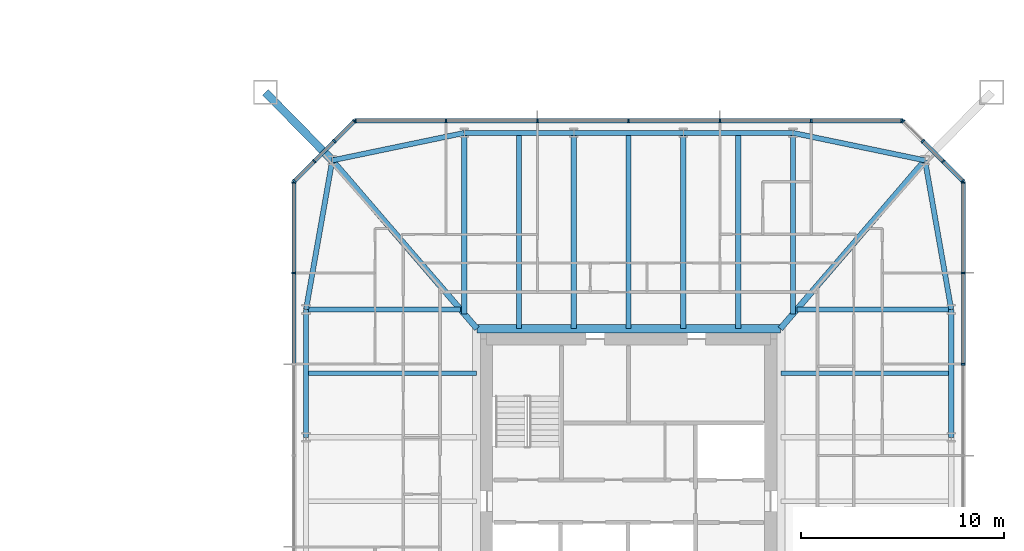
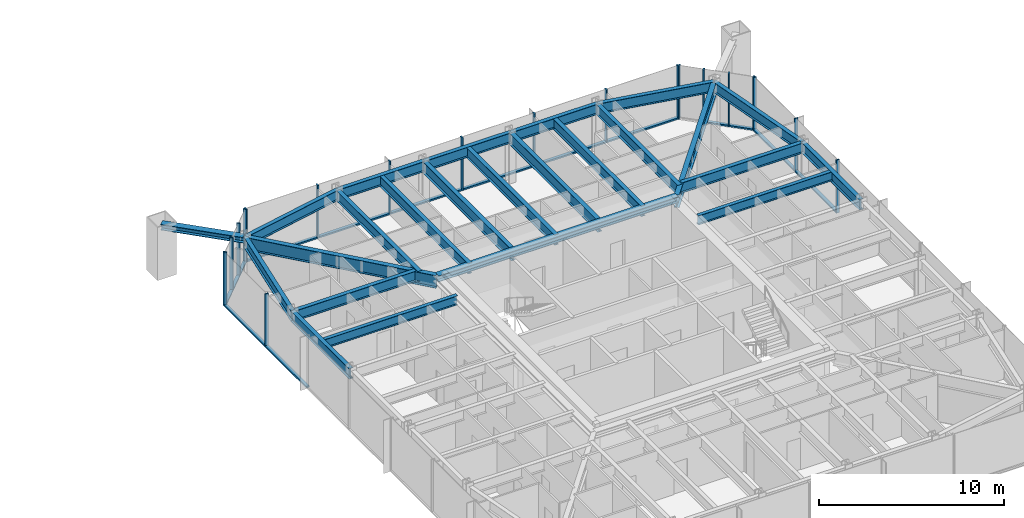
# One storey, part 10 of 26: 36 members, 23 beams, 5 elements without a shape of their own.
"""IFC4 building model written with IfcOpenShell, lengths in metres."""

from ifc_helpers import new_model, si_unit, direction, frame, origin, origin_2d, place, context, subcontext, project, spatial, rectangle, i_section, extrude, material, material_profile, profile_set, type_object, element, aggregate, save


model = new_model("IFC4")

# Units and contexts
model_context = context("Model", 3, precision=1e-05, world=origin(), true_north=direction((0.0, 1.0)))
body_context = subcontext(model_context, "Body", "Model", "MODEL_VIEW")
ifc_project = project(units=[si_unit("LENGTHUNIT", "METRE"), si_unit("AREAUNIT", "SQUARE_METRE"), si_unit("VOLUMEUNIT", "CUBIC_METRE"), si_unit("PLANEANGLEUNIT", "RADIAN"), si_unit("MASSUNIT", "GRAM", prefix="KILO")], contexts=[model_context])

# Site, building, storey
site_placement = place(None, origin())
site = spatial("IfcSite", under=ifc_project, at=site_placement, CompositionType="ELEMENT")
building_placement = place(site_placement, origin())
building = spatial("IfcBuilding", under=site, at=building_placement, Name="Iwan Alto Co-Living Towers", CompositionType="ELEMENT")
storey_placement = place(building_placement, frame((0.0, 0.0, 29.0)))
storey = spatial("IfcBuildingStorey", under=building, at=storey_placement, Name="L07", CompositionType="ELEMENT", Elevation=29.0)

# Curtain wall, members
ifc_material_1 = material(Name="Bronze aluminium unitised frame", Category="aluminium")
curtain_wall_type_1 = type_object("IfcCurtainWallType", Name="CURTAIN WALL CW-C", PredefinedType="NOTDEFINED", material=ifc_material_1)
curtain_wall_1_placement = place(storey_placement, origin())
curtain_wall_1 = element("IfcCurtainWall", 1, at=curtain_wall_1_placement, inside=storey, type_object=curtain_wall_type_1, Name="T2 curtain wall E L07", PredefinedType="NOTDEFINED")
ifc_material_2 = material(Name="Aluminium 6063-T6 bronze anodised", Category="aluminium")
ifc_material_profile_1 = material_profile(ifc_material_2, rectangle(XDim=0.199951171875, YDim=0.080078125, at=origin_2d()), Name="AL 80X200")
ifc_profile_set_1 = profile_set([ifc_material_profile_1], Name="Aluminium 6063-T6 bronze anodised")
member_type_1 = type_object("IfcMemberType", Name="CW-C MULLION 80X200", PredefinedType="MULLION", material=ifc_profile_set_1)
member_1_placement = place(storey_placement, frame((79.5, 6.75, 0.0), z_axis=(0.0, 0.0, 1.0), x_axis=(-1.0, 0.0, 0.0)))
member_1 = element("IfcMember", 2, at=member_1_placement, type_object=member_type_1, Name="CW-C mullion 6", PredefinedType="MULLION", context=body_context, shape_type="SweptSolid", body=[
    extrude(rectangle(XDim=0.199951171875, YDim=0.080078125, at=origin_2d()), origin(), (0.0, 0.0, 1.0), 3.5),
])
member_2_placement = place(storey_placement, frame((79.5, 11.25, 0.0), z_axis=(0.0, 0.0, 1.0), x_axis=(-1.0, 0.0, 0.0)))
member_2 = element("IfcMember", 3, at=member_2_placement, type_object=member_type_1, Name="CW-C mullion 7", PredefinedType="MULLION", context=body_context, shape_type="SweptSolid", body=[
    extrude(rectangle(XDim=0.199951171875, YDim=0.080078125, at=origin_2d()), origin(), (0.0, 0.0, 1.0), 3.5),
])
member_3_placement = place(storey_placement, frame((79.5, 15.7099609375, 0.0), z_axis=(0.0, 0.0, 1.0), x_axis=(-1.0, 0.0, 0.0)))
member_3 = element("IfcMember", 4, at=member_3_placement, type_object=member_type_1, Name="CW-C mullion 8", PredefinedType="MULLION", context=body_context, shape_type="SweptSolid", body=[
    extrude(rectangle(XDim=0.199951171875, YDim=0.080078125, at=origin_2d()), origin(), (0.0, 0.0, 1.0), 3.5),
])

curtain_wall_2_placement = place(storey_placement, origin())
curtain_wall_2 = element("IfcCurtainWall", 5, at=curtain_wall_2_placement, inside=storey, type_object=curtain_wall_type_1, Name="T2 curtain wall N L07", PredefinedType="NOTDEFINED")
member_4_placement = place(storey_placement, frame((76.4599609375, 18.75, 0.0), z_axis=(0.0, 0.0, 1.0), x_axis=(0.0, -1.0, 0.0)))
member_4 = element("IfcMember", 6, at=member_4_placement, type_object=member_type_1, Name="CW-C mullion 1", PredefinedType="MULLION", context=body_context, shape_type="SweptSolid", body=[
    extrude(rectangle(XDim=0.199951171875, YDim=0.080078125, at=origin_2d()), origin(), (0.0, 0.0, 1.0), 3.5),
])
member_5_placement = place(storey_placement, frame((72.0, 18.75, 0.0), z_axis=(0.0, 0.0, 1.0), x_axis=(0.0, -1.0, 0.0)))
member_5 = element("IfcMember", 7, at=member_5_placement, type_object=member_type_1, Name="CW-C mullion 2", PredefinedType="MULLION", context=body_context, shape_type="SweptSolid", body=[
    extrude(rectangle(XDim=0.199951171875, YDim=0.080078125, at=origin_2d()), origin(), (0.0, 0.0, 1.0), 3.5),
])
member_6_placement = place(storey_placement, frame((67.5, 18.75, 0.0), z_axis=(0.0, 0.0, 1.0), x_axis=(0.0, -1.0, 0.0)))
member_6 = element("IfcMember", 8, at=member_6_placement, type_object=member_type_1, Name="CW-C mullion 3", PredefinedType="MULLION", context=body_context, shape_type="SweptSolid", body=[
    extrude(rectangle(XDim=0.199951171875, YDim=0.080078125, at=origin_2d()), origin(), (0.0, 0.0, 1.0), 3.5),
])
member_7_placement = place(storey_placement, frame((63.0, 18.75, 0.0), z_axis=(0.0, 0.0, 1.0), x_axis=(0.0, -1.0, 0.0)))
member_7 = element("IfcMember", 9, at=member_7_placement, type_object=member_type_1, Name="CW-C mullion 4", PredefinedType="MULLION", context=body_context, shape_type="SweptSolid", body=[
    extrude(rectangle(XDim=0.199951171875, YDim=0.080078125, at=origin_2d()), origin(), (0.0, 0.0, 1.0), 3.5),
])
member_8_placement = place(storey_placement, frame((58.5, 18.75, 0.0), z_axis=(0.0, 0.0, 1.0), x_axis=(0.0, -1.0, 0.0)))
member_8 = element("IfcMember", 10, at=member_8_placement, type_object=member_type_1, Name="CW-C mullion 5", PredefinedType="MULLION", context=body_context, shape_type="SweptSolid", body=[
    extrude(rectangle(XDim=0.199951171875, YDim=0.080078125, at=origin_2d()), origin(), (0.0, 0.0, 1.0), 3.5),
])
member_9_placement = place(storey_placement, frame((54.0, 18.75, 0.0), z_axis=(0.0, 0.0, 1.0), x_axis=(0.0, -1.0, 0.0)))
member_9 = element("IfcMember", 11, at=member_9_placement, type_object=member_type_1, Name="CW-C mullion 6", PredefinedType="MULLION", context=body_context, shape_type="SweptSolid", body=[
    extrude(rectangle(XDim=0.199951171875, YDim=0.080078125, at=origin_2d()), origin(), (0.0, 0.0, 1.0), 3.5),
])
member_10_placement = place(storey_placement, frame((49.5400390625, 18.75, 0.0), z_axis=(0.0, 0.0, 1.0), x_axis=(0.0, -1.0, 0.0)))
member_10 = element("IfcMember", 12, at=member_10_placement, type_object=member_type_1, Name="CW-C mullion 7", PredefinedType="MULLION", context=body_context, shape_type="SweptSolid", body=[
    extrude(rectangle(XDim=0.199951171875, YDim=0.080078125, at=origin_2d()), origin(), (0.0, 0.0, 1.0), 3.5),
])

curtain_wall_3_placement = place(storey_placement, origin())
curtain_wall_3 = element("IfcCurtainWall", 13, at=curtain_wall_3_placement, inside=storey, type_object=curtain_wall_type_1, Name="T2 curtain wall W L07", PredefinedType="NOTDEFINED")
member_11_placement = place(storey_placement, frame((46.5, 15.7099609375, 0.0), z_axis=(0.0, 0.0, 1.0), x_axis=(1.0, 0.0, 0.0)))
member_11 = element("IfcMember", 14, at=member_11_placement, type_object=member_type_1, Name="CW-C mullion 1", PredefinedType="MULLION", context=body_context, shape_type="SweptSolid", body=[
    extrude(rectangle(XDim=0.199951171875, YDim=0.080078125, at=origin_2d()), origin(), (0.0, 0.0, 1.0), 3.5),
])
member_12_placement = place(storey_placement, frame((46.5, 11.25, 0.0), z_axis=(0.0, 0.0, 1.0), x_axis=(1.0, 0.0, 0.0)))
member_12 = element("IfcMember", 15, at=member_12_placement, type_object=member_type_1, Name="CW-C mullion 2", PredefinedType="MULLION", context=body_context, shape_type="SweptSolid", body=[
    extrude(rectangle(XDim=0.199951171875, YDim=0.080078125, at=origin_2d()), origin(), (0.0, 0.0, 1.0), 3.5),
])

# Member
ifc_material_3 = material(Name="Aluminium 6063-T6 bronze anodised", Category="aluminium")
ifc_material_profile_2 = material_profile(ifc_material_3, rectangle(XDim=0.199951171875, YDim=0.10009765625, at=origin_2d()), Name="AL 200X100")
ifc_profile_set_2 = profile_set([ifc_material_profile_2], Name="Aluminium 6063-T6 bronze anodised")
member_type_2 = type_object("IfcMemberType", Name="CW-C TRANSOM 200X100", PredefinedType="USERDEFINED", material=ifc_profile_set_2)
member_13_placement = place(storey_placement, frame((79.5, 6.7900390625, 0.050048828125), z_axis=(0.0, 1.0, 0.0), x_axis=(-1.0, 0.0, 0.0)))
member_13 = element("IfcMember", 16, at=member_13_placement, type_object=member_type_2, Name="CW-C transom 6.1", ObjectType="TRANSOM", PredefinedType="USERDEFINED", context=body_context, shape_type="SweptSolid", body=[
    extrude(rectangle(XDim=0.199951171875, YDim=0.10009765625, at=origin_2d()), origin(), (0.0, 0.0, 1.0), 4.419921875),
])

member_14_placement = place(storey_placement, frame((79.5, 11.2900390625, 0.050048828125), z_axis=(0.0, 1.0, 0.0), x_axis=(-1.0, 0.0, 0.0)))
member_14 = element("IfcMember", 17, at=member_14_placement, type_object=member_type_2, Name="CW-C transom 7.1", ObjectType="TRANSOM", PredefinedType="USERDEFINED", context=body_context, shape_type="SweptSolid", body=[
    extrude(rectangle(XDim=0.199951171875, YDim=0.10009765625, at=origin_2d()), origin(), (0.0, 0.0, 1.0), 4.3798828125),
])

aggregate(curtain_wall_1, [member_1, member_2, member_3, member_13, member_14])

member_15_placement = place(storey_placement, frame((76.419921875, 18.75, 0.050048828125), z_axis=(-1.0, 0.0, 0.0), x_axis=(0.0, -1.0, 0.0)))
member_15 = element("IfcMember", 18, at=member_15_placement, type_object=member_type_2, Name="CW-C transom 1.1", ObjectType="TRANSOM", PredefinedType="USERDEFINED", context=body_context, shape_type="SweptSolid", body=[
    extrude(rectangle(XDim=0.199951171875, YDim=0.10009765625, at=origin_2d()), origin(), (0.0, 0.0, 1.0), 4.3798828125),
])

member_16_placement = place(storey_placement, frame((71.9599609375, 18.75, 0.050048828125), z_axis=(-1.0, 0.0, 0.0), x_axis=(0.0, -1.0, 0.0)))
member_16 = element("IfcMember", 19, at=member_16_placement, type_object=member_type_2, Name="CW-C transom 2.1", ObjectType="TRANSOM", PredefinedType="USERDEFINED", context=body_context, shape_type="SweptSolid", body=[
    extrude(rectangle(XDim=0.199951171875, YDim=0.10009765625, at=origin_2d()), origin(), (0.0, 0.0, 1.0), 4.419921875),
])

member_17_placement = place(storey_placement, frame((67.4599609375, 18.75, 0.050048828125), z_axis=(-1.0, 0.0, 0.0), x_axis=(0.0, -1.0, 0.0)))
member_17 = element("IfcMember", 20, at=member_17_placement, type_object=member_type_2, Name="CW-C transom 3.1", ObjectType="TRANSOM", PredefinedType="USERDEFINED", context=body_context, shape_type="SweptSolid", body=[
    extrude(rectangle(XDim=0.199951171875, YDim=0.10009765625, at=origin_2d()), origin(), (0.0, 0.0, 1.0), 4.419921875),
])

member_18_placement = place(storey_placement, frame((62.9599609375, 18.75, 0.050048828125), z_axis=(-1.0, 0.0, 0.0), x_axis=(0.0, -1.0, 0.0)))
member_18 = element("IfcMember", 21, at=member_18_placement, type_object=member_type_2, Name="CW-C transom 4.1", ObjectType="TRANSOM", PredefinedType="USERDEFINED", context=body_context, shape_type="SweptSolid", body=[
    extrude(rectangle(XDim=0.199951171875, YDim=0.10009765625, at=origin_2d()), origin(), (0.0, 0.0, 1.0), 4.419921875),
])

member_19_placement = place(storey_placement, frame((58.4599609375, 18.75, 0.050048828125), z_axis=(-1.0, 0.0, 0.0), x_axis=(0.0, -1.0, 0.0)))
member_19 = element("IfcMember", 22, at=member_19_placement, type_object=member_type_2, Name="CW-C transom 5.1", ObjectType="TRANSOM", PredefinedType="USERDEFINED", context=body_context, shape_type="SweptSolid", body=[
    extrude(rectangle(XDim=0.199951171875, YDim=0.10009765625, at=origin_2d()), origin(), (0.0, 0.0, 1.0), 4.419921875),
])

member_20_placement = place(storey_placement, frame((53.9599609375, 18.75, 0.050048828125), z_axis=(-1.0, 0.0, 0.0), x_axis=(0.0, -1.0, 0.0)))
member_20 = element("IfcMember", 23, at=member_20_placement, type_object=member_type_2, Name="CW-C transom 6.1", ObjectType="TRANSOM", PredefinedType="USERDEFINED", context=body_context, shape_type="SweptSolid", body=[
    extrude(rectangle(XDim=0.199951171875, YDim=0.10009765625, at=origin_2d()), origin(), (0.0, 0.0, 1.0), 4.3798828125),
])

aggregate(curtain_wall_2, [member_4, member_5, member_6, member_7, member_8, member_9, member_10, member_15, member_16, member_17, member_18, member_19, member_20])

member_21_placement = place(storey_placement, frame((46.5, 15.669921875, 0.050048828125), z_axis=(0.0, -1.0, 0.0), x_axis=(1.0, 0.0, 0.0)))
member_21 = element("IfcMember", 24, at=member_21_placement, type_object=member_type_2, Name="CW-C transom 1.1", ObjectType="TRANSOM", PredefinedType="USERDEFINED", context=body_context, shape_type="SweptSolid", body=[
    extrude(rectangle(XDim=0.199951171875, YDim=0.10009765625, at=origin_2d()), origin(), (0.0, 0.0, 1.0), 4.3798828125),
])

member_22_placement = place(storey_placement, frame((46.5, 11.2099609375, 0.050048828125), z_axis=(0.0, -1.0, 0.0), x_axis=(1.0, 0.0, 0.0)))
member_22 = element("IfcMember", 25, at=member_22_placement, type_object=member_type_2, Name="CW-C transom 2.1", ObjectType="TRANSOM", PredefinedType="USERDEFINED", context=body_context, shape_type="SweptSolid", body=[
    extrude(rectangle(XDim=0.199951171875, YDim=0.10009765625, at=origin_2d()), origin(), (0.0, 0.0, 1.0), 4.419921875),
])

aggregate(curtain_wall_3, [member_11, member_12, member_21, member_22])

# Curtain wall, members
ifc_material_4 = material(Name="Bronze aluminium unitised frame", Category="aluminium")
curtain_wall_type_2 = type_object("IfcCurtainWallType", Name="CURTAIN WALL CW-D", PredefinedType="NOTDEFINED", material=ifc_material_4)
curtain_wall_4_placement = place(storey_placement, origin())
curtain_wall_4 = element("IfcCurtainWall", 26, at=curtain_wall_4_placement, inside=storey, type_object=curtain_wall_type_2, Name="T2 chamfer curtain wall NE L07", PredefinedType="NOTDEFINED")
ifc_material_5 = material(Name="Aluminium 6063-T6 bronze anodised", Category="aluminium")
ifc_material_profile_3 = material_profile(ifc_material_5, rectangle(XDim=0.199951171875, YDim=0.080078125, at=origin_2d()), Name="AL 80X200")
ifc_profile_set_3 = profile_set([ifc_material_profile_3], Name="Aluminium 6063-T6 bronze anodised")
member_type_3 = type_object("IfcMemberType", Name="CW-D MULLION 80X200", PredefinedType="MULLION", material=ifc_profile_set_3)
member_23_placement = place(storey_placement, frame((79.4716796875, 15.7783203125, 0.0), z_axis=(0.0, 0.0, 1.0), x_axis=(-0.707106781187, -0.707106781187, 0.0)))
member_23 = element("IfcMember", 27, at=member_23_placement, type_object=member_type_3, Name="CW-D mullion 1", PredefinedType="MULLION", context=body_context, shape_type="SweptSolid", body=[
    extrude(rectangle(XDim=0.199951171875, YDim=0.080078125, at=origin_2d()), origin(), (0.0, 0.0, 1.0), 3.5),
])
member_24_placement = place(storey_placement, frame((78.5, 16.75, 0.0), z_axis=(0.0, 0.0, 1.0), x_axis=(-0.707106781187, -0.707106781187, 0.0)))
member_24 = element("IfcMember", 28, at=member_24_placement, type_object=member_type_3, Name="CW-D mullion 2", PredefinedType="MULLION", context=body_context, shape_type="SweptSolid", body=[
    extrude(rectangle(XDim=0.199951171875, YDim=0.080078125, at=origin_2d()), origin(), (0.0, 0.0, 1.0), 3.5),
])
member_25_placement = place(storey_placement, frame((77.5, 17.75, 0.0), z_axis=(0.0, 0.0, 1.0), x_axis=(-0.707106781187, -0.707106781187, 0.0)))
member_25 = element("IfcMember", 29, at=member_25_placement, type_object=member_type_3, Name="CW-D mullion 3", PredefinedType="MULLION", context=body_context, shape_type="SweptSolid", body=[
    extrude(rectangle(XDim=0.199951171875, YDim=0.080078125, at=origin_2d()), origin(), (0.0, 0.0, 1.0), 3.5),
])
member_26_placement = place(storey_placement, frame((76.5283203125, 18.7216796875, 0.0), z_axis=(0.0, 0.0, 1.0), x_axis=(-0.707106781187, -0.707106781187, 0.0)))
member_26 = element("IfcMember", 30, at=member_26_placement, type_object=member_type_3, Name="CW-D mullion 4", PredefinedType="MULLION", context=body_context, shape_type="SweptSolid", body=[
    extrude(rectangle(XDim=0.199951171875, YDim=0.080078125, at=origin_2d()), origin(), (0.0, 0.0, 1.0), 3.5),
])

curtain_wall_5_placement = place(storey_placement, origin())
curtain_wall_5 = element("IfcCurtainWall", 31, at=curtain_wall_5_placement, inside=storey, type_object=curtain_wall_type_2, Name="T2 chamfer curtain wall NW L07", PredefinedType="NOTDEFINED")
member_27_placement = place(storey_placement, frame((49.4716796875, 18.7216796875, 0.0), z_axis=(0.0, 0.0, 1.0), x_axis=(0.707106781187, -0.707106781187, 0.0)))
member_27 = element("IfcMember", 32, at=member_27_placement, type_object=member_type_3, Name="CW-D mullion 1", PredefinedType="MULLION", context=body_context, shape_type="SweptSolid", body=[
    extrude(rectangle(XDim=0.199951171875, YDim=0.080078125, at=origin_2d()), origin(), (0.0, 0.0, 1.0), 3.5),
])
member_28_placement = place(storey_placement, frame((48.5, 17.75, 0.0), z_axis=(0.0, 0.0, 1.0), x_axis=(0.707106781187, -0.707106781187, 0.0)))
member_28 = element("IfcMember", 33, at=member_28_placement, type_object=member_type_3, Name="CW-D mullion 2", PredefinedType="MULLION", context=body_context, shape_type="SweptSolid", body=[
    extrude(rectangle(XDim=0.199951171875, YDim=0.080078125, at=origin_2d()), origin(), (0.0, 0.0, 1.0), 3.5),
])
member_29_placement = place(storey_placement, frame((47.5, 16.75, 0.0), z_axis=(0.0, 0.0, 1.0), x_axis=(0.707106781187, -0.707106781187, 0.0)))
member_29 = element("IfcMember", 34, at=member_29_placement, type_object=member_type_3, Name="CW-D mullion 3", PredefinedType="MULLION", context=body_context, shape_type="SweptSolid", body=[
    extrude(rectangle(XDim=0.199951171875, YDim=0.080078125, at=origin_2d()), origin(), (0.0, 0.0, 1.0), 3.5),
])
member_30_placement = place(storey_placement, frame((46.5283203125, 15.7783203125, 0.0), z_axis=(0.0, 0.0, 1.0), x_axis=(0.707106781187, -0.707106781187, 0.0)))
member_30 = element("IfcMember", 35, at=member_30_placement, type_object=member_type_3, Name="CW-D mullion 4", PredefinedType="MULLION", context=body_context, shape_type="SweptSolid", body=[
    extrude(rectangle(XDim=0.199951171875, YDim=0.080078125, at=origin_2d()), origin(), (0.0, 0.0, 1.0), 3.5),
])

# Member
ifc_material_6 = material(Name="Aluminium 6063-T6 bronze anodised", Category="aluminium")
ifc_material_profile_4 = material_profile(ifc_material_6, rectangle(XDim=0.199951171875, YDim=0.10009765625, at=origin_2d()), Name="AL 200X100")
ifc_profile_set_4 = profile_set([ifc_material_profile_4], Name="Aluminium 6063-T6 bronze anodised")
member_type_4 = type_object("IfcMemberType", Name="CW-D TRANSOM 200X100", PredefinedType="USERDEFINED", material=ifc_profile_set_4)
member_31_placement = place(storey_placement, frame((79.443359375, 15.806640625, 0.050048828125), z_axis=(-0.707106781187, 0.707106781187, 0.0), x_axis=(-0.707106781187, -0.707106781187, 0.0)))
member_31 = element("IfcMember", 36, at=member_31_placement, type_object=member_type_4, Name="CW-D transom 1.1", ObjectType="TRANSOM", PredefinedType="USERDEFINED", context=body_context, shape_type="SweptSolid", body=[
    extrude(rectangle(XDim=0.199951171875, YDim=0.10009765625, at=origin_2d()), origin(), (0.0, 0.0, 1.0), 1.2939453125),
])

member_32_placement = place(storey_placement, frame((78.4716796875, 16.7783203125, 0.050048828125), z_axis=(-0.707106781187, 0.707106781187, 0.0), x_axis=(-0.707106781187, -0.707106781187, 0.0)))
member_32 = element("IfcMember", 37, at=member_32_placement, type_object=member_type_4, Name="CW-D transom 2.1", ObjectType="TRANSOM", PredefinedType="USERDEFINED", context=body_context, shape_type="SweptSolid", body=[
    extrude(rectangle(XDim=0.199951171875, YDim=0.10009765625, at=origin_2d()), origin(), (0.0, 0.0, 1.0), 1.334228515625),
])

aggregate(curtain_wall_4, [member_23, member_24, member_25, member_26, member_31, member_32])

member_33_placement = place(storey_placement, frame((49.443359375, 18.693359375, 0.050048828125), z_axis=(-0.707106781187, -0.707106781187, 0.0), x_axis=(0.707106781187, -0.707106781187, 0.0)))
member_33 = element("IfcMember", 38, at=member_33_placement, type_object=member_type_4, Name="CW-D transom 1.1", ObjectType="TRANSOM", PredefinedType="USERDEFINED", context=body_context, shape_type="SweptSolid", body=[
    extrude(rectangle(XDim=0.199951171875, YDim=0.10009765625, at=origin_2d()), origin(), (0.0, 0.0, 1.0), 1.2939453125),
])

member_34_placement = place(storey_placement, frame((48.4716796875, 17.7216796875, 0.050048828125), z_axis=(-0.707106781187, -0.707106781187, 0.0), x_axis=(0.707106781187, -0.707106781187, 0.0)))
member_34 = element("IfcMember", 39, at=member_34_placement, type_object=member_type_4, Name="CW-D transom 2.1", ObjectType="TRANSOM", PredefinedType="USERDEFINED", context=body_context, shape_type="SweptSolid", body=[
    extrude(rectangle(XDim=0.199951171875, YDim=0.10009765625, at=origin_2d()), origin(), (0.0, 0.0, 1.0), 1.334228515625),
])

member_35_placement = place(storey_placement, frame((47.4716796875, 16.7216796875, 0.050048828125), z_axis=(-0.707106781187, -0.707106781187, 0.0), x_axis=(0.707106781187, -0.707106781187, 0.0)))
member_35 = element("IfcMember", 40, at=member_35_placement, type_object=member_type_4, Name="CW-D transom 3.1", ObjectType="TRANSOM", PredefinedType="USERDEFINED", context=body_context, shape_type="SweptSolid", body=[
    extrude(rectangle(XDim=0.199951171875, YDim=0.10009765625, at=origin_2d()), origin(), (0.0, 0.0, 1.0), 1.2939453125),
])

aggregate(curtain_wall_5, [member_27, member_28, member_29, member_30, member_33, member_34, member_35])

# Beams
ifc_material_7 = material(Name="Steel ASTM A992 Gr 50", Category="steel")
ifc_material_profile_5 = material_profile(ifc_material_7, i_section(OverallWidth=0.40380859375, OverallDepth=0.406494140625, WebThickness=0.027099609375, FlangeThickness=0.043701171875, at=origin_2d()), Name="W14X233")
ifc_profile_set_5 = profile_set([ifc_material_profile_5], Name="Steel ASTM A992 Gr 50")
beam_type_1 = type_object("IfcBeamType", Name="T2 CORE LEDGER BEAM W14X233", PredefinedType="BEAM", material=ifc_profile_set_5)
beam_1_placement = place(storey_placement, frame((70.4736328125, 8.501953125, 3.06689453125), z_axis=(-1.0, 0.0, 0.0), x_axis=(0.0, -1.0, 0.0)))
element("IfcBeam", 41, at=beam_1_placement, inside=storey, type_object=beam_type_1, Name="T2 core ledger beam N L08", PredefinedType="BEAM", context=body_context, shape_type="SweptSolid", body=[
    extrude(i_section(OverallWidth=0.40380859375, OverallDepth=0.406494140625, WebThickness=0.027099609375, FlangeThickness=0.043701171875, at=origin_2d()), origin(), (0.0, 0.0, 1.0), 14.947265625),
])
ifc_material_8 = material(Name="Steel ASTM A992 Gr 50", Category="steel")
ifc_material_profile_6 = material_profile(ifc_material_8, i_section(OverallWidth=0.2919921875, OverallDepth=0.8408203125, WebThickness=0.0146484375, FlangeThickness=0.021728515625, at=origin_2d()), Name="W33X130")
ifc_profile_set_6 = profile_set([ifc_material_profile_6], Name="Steel ASTM A992 Gr 50")
beam_type_2 = type_object("IfcBeamType", Name="T2 CORNER GIRDER W33X130", PredefinedType="BEAM", material=ifc_profile_set_6)
for number, where, z_axis, x_axis, name in (
    (42, (77.606201171875, 16.797119140625, 2.849609375), (-0.651972301827, -0.758242782788, 0.0), (0.758242782788, -0.651972301827, 0.0), "T2 corner girder CNE L08"),
    (43, (48.393798828125, 16.797119140625, 2.849609375), (0.651972301827, -0.758242782788, 0.0), (0.758242782788, 0.651972301827, 0.0), "T2 corner girder CNW L08"),
):
    element("IfcBeam", number, at=place(storey_placement, frame(where, z_axis=z_axis, x_axis=x_axis)), inside=storey, type_object=beam_type_2, Name=name, PredefinedType="BEAM", context=body_context, shape_type="SweptSolid", body=[
        extrude(i_section(OverallWidth=0.2919921875, OverallDepth=0.8408203125, WebThickness=0.0146484375, FlangeThickness=0.021728515625, at=origin_2d()), origin(), (0.0, 0.0, 1.0), 10.93994140625),
    ])
ifc_material_9 = material(Name="Steel ASTM A992 Gr 50", Category="steel")
ifc_material_profile_7 = material_profile(ifc_material_9, i_section(OverallWidth=0.25390625, OverallDepth=0.683349609375, WebThickness=0.012451171875, FlangeThickness=0.018798828125, at=origin_2d()), Name="W27X94")
ifc_profile_set_7 = profile_set([ifc_material_profile_7], Name="Steel ASTM A992 Gr 50")
beam_type_3 = type_object("IfcBeamType", Name="T2 EDGE BEAM W27X94", PredefinedType="BEAM", material=ifc_profile_set_7)
beam_2_placement = place(storey_placement, frame((78.89990234375, 3.14990234375, 2.928466796875), z_axis=(0.0, 1.0, 0.0), x_axis=(-1.0, 0.0, 0.0)))
element("IfcBeam", 44, at=beam_2_placement, inside=storey, type_object=beam_type_3, Name="T2 edge beam E3 L08", PredefinedType="BEAM", context=body_context, shape_type="SweptSolid", body=[
    extrude(i_section(OverallWidth=0.25390625, OverallDepth=0.683349609375, WebThickness=0.012451171875, FlangeThickness=0.018798828125, at=origin_2d()), origin(), (0.0, 0.0, 1.0), 6.300048828125),
])
beam_3_placement = place(storey_placement, frame((78.89990234375, 9.449951171875, 2.928466796875), z_axis=(-0.173413807283, 0.98484905008, 0.0), x_axis=(-0.98484905008, -0.173413807283, 0.0)))
element("IfcBeam", 45, at=beam_3_placement, inside=storey, type_object=beam_type_3, Name="T2 edge beam E4 L08", PredefinedType="BEAM", context=body_context, shape_type="SweptSolid", body=[
    extrude(i_section(OverallWidth=0.25390625, OverallDepth=0.683349609375, WebThickness=0.012451171875, FlangeThickness=0.018798828125, at=origin_2d()), origin(), (0.0, 0.0, 1.0), 7.460205078125),
])
beam_4_placement = place(storey_placement, frame((77.606201171875, 16.797119140625, 2.928466796875), z_axis=(-0.979060119423, 0.203571320564, 0.0), x_axis=(-0.203571320564, -0.979060119423, 0.0)))
element("IfcBeam", 46, at=beam_4_placement, inside=storey, type_object=beam_type_3, Name="T2 edge beam CNE L08", PredefinedType="BEAM", context=body_context, shape_type="SweptSolid", body=[
    extrude(i_section(OverallWidth=0.25390625, OverallDepth=0.683349609375, WebThickness=0.012451171875, FlangeThickness=0.018798828125, at=origin_2d()), origin(), (0.0, 0.0, 1.0), 6.645263671875),
])
beam_5_placement = place(storey_placement, frame((71.10009765625, 18.14990234375, 2.928466796875), z_axis=(-1.0, 0.0, 0.0), x_axis=(0.0, -1.0, 0.0)))
element("IfcBeam", 47, at=beam_5_placement, inside=storey, type_object=beam_type_3, Name="T2 edge beam N1 L08", PredefinedType="BEAM", context=body_context, shape_type="SweptSolid", body=[
    extrude(i_section(OverallWidth=0.25390625, OverallDepth=0.683349609375, WebThickness=0.012451171875, FlangeThickness=0.018798828125, at=origin_2d()), origin(), (0.0, 0.0, 1.0), 5.400146484375),
])
beam_6_placement = place(storey_placement, frame((65.699951171875, 18.14990234375, 2.928466796875), z_axis=(-1.0, 0.0, 0.0), x_axis=(0.0, -1.0, 0.0)))
element("IfcBeam", 48, at=beam_6_placement, inside=storey, type_object=beam_type_3, Name="T2 edge beam N2 L08", PredefinedType="BEAM", context=body_context, shape_type="SweptSolid", body=[
    extrude(i_section(OverallWidth=0.25390625, OverallDepth=0.683349609375, WebThickness=0.012451171875, FlangeThickness=0.018798828125, at=origin_2d()), origin(), (0.0, 0.0, 1.0), 5.39990234375),
])
beam_7_placement = place(storey_placement, frame((60.300048828125, 18.14990234375, 2.928466796875), z_axis=(-1.0, 0.0, 0.0), x_axis=(0.0, -1.0, 0.0)))
element("IfcBeam", 49, at=beam_7_placement, inside=storey, type_object=beam_type_3, Name="T2 edge beam N3 L08", PredefinedType="BEAM", context=body_context, shape_type="SweptSolid", body=[
    extrude(i_section(OverallWidth=0.25390625, OverallDepth=0.683349609375, WebThickness=0.012451171875, FlangeThickness=0.018798828125, at=origin_2d()), origin(), (0.0, 0.0, 1.0), 5.400146484375),
])
beam_8_placement = place(storey_placement, frame((54.89990234375, 18.14990234375, 2.928466796875), z_axis=(-0.979060119423, -0.203571320564, 0.0), x_axis=(0.203571320564, -0.979060119423, 0.0)))
element("IfcBeam", 50, at=beam_8_placement, inside=storey, type_object=beam_type_3, Name="T2 edge beam N4 L08", PredefinedType="BEAM", context=body_context, shape_type="SweptSolid", body=[
    extrude(i_section(OverallWidth=0.25390625, OverallDepth=0.683349609375, WebThickness=0.012451171875, FlangeThickness=0.018798828125, at=origin_2d()), origin(), (0.0, 0.0, 1.0), 6.645263671875),
])
beam_9_placement = place(storey_placement, frame((48.393798828125, 16.797119140625, 2.928466796875), z_axis=(-0.173413807283, -0.98484905008, 0.0), x_axis=(0.98484905008, -0.173413807283, 0.0)))
element("IfcBeam", 51, at=beam_9_placement, inside=storey, type_object=beam_type_3, Name="T2 edge beam CNW L08", PredefinedType="BEAM", context=body_context, shape_type="SweptSolid", body=[
    extrude(i_section(OverallWidth=0.25390625, OverallDepth=0.683349609375, WebThickness=0.012451171875, FlangeThickness=0.018798828125, at=origin_2d()), origin(), (0.0, 0.0, 1.0), 7.460205078125),
])
beam_10_placement = place(storey_placement, frame((47.10009765625, 9.449951171875, 2.928466796875), z_axis=(0.0, -1.0, 0.0), x_axis=(1.0, 0.0, 0.0)))
element("IfcBeam", 52, at=beam_10_placement, inside=storey, type_object=beam_type_3, Name="T2 edge beam W1 L08", PredefinedType="BEAM", context=body_context, shape_type="SweptSolid", body=[
    extrude(i_section(OverallWidth=0.25390625, OverallDepth=0.683349609375, WebThickness=0.012451171875, FlangeThickness=0.018798828125, at=origin_2d()), origin(), (0.0, 0.0, 1.0), 6.300048828125),
])

# Member
ifc_material_10 = material(Name="Steel ASTM A992 Gr 50", Category="steel")
ifc_material_profile_8 = material_profile(ifc_material_10, i_section(OverallWidth=0.393798828125, OverallDepth=0.3759765625, WebThickness=0.017333984375, FlangeThickness=0.027587890625, at=origin_2d()), Name="W14X145")
ifc_profile_set_8 = profile_set([ifc_material_profile_8], Name="Steel ASTM A992 Gr 50")
member_type_5 = type_object("IfcMemberType", Name="T2 MEGA COLUMN FLOOR TIE W14X145", PredefinedType="STRUT", material=ifc_profile_set_8)
member_36_placement = place(storey_placement, frame((45.10009765625, 20.14990234375, 3.08203125), z_axis=(0.700793469544, -0.71336422187, 0.0), x_axis=(0.71336422187, 0.700793469544, 0.0)))
element("IfcMember", 53, at=member_36_placement, inside=storey, type_object=member_type_5, Name="T2 mega column floor tie NW L08", PredefinedType="STRUT", context=body_context, shape_type="SweptSolid", body=[
    extrude(i_section(OverallWidth=0.393798828125, OverallDepth=0.3759765625, WebThickness=0.017333984375, FlangeThickness=0.027587890625, at=origin_2d()), origin(), (0.0, 0.0, 1.0), 4.699951171875),
])

# Beams
ifc_material_11 = material(Name="Steel ASTM A992 Gr 50", Category="steel")
ifc_material_profile_9 = material_profile(ifc_material_11, i_section(OverallWidth=0.25390625, OverallDepth=0.683349609375, WebThickness=0.012451171875, FlangeThickness=0.018798828125, at=origin_2d()), Name="W27X94")
ifc_profile_set_9 = profile_set([ifc_material_profile_9], Name="Steel ASTM A992 Gr 50")
beam_type_4 = type_object("IfcBeamType", Name="T2 RADIAL BEAM W27X94", PredefinedType="BEAM", material=ifc_profile_set_9)
beam_11_placement = place(storey_placement, frame((78.89990234375, 9.449951171875, 2.928466796875), z_axis=(-1.0, 0.0, 0.0), x_axis=(0.0, -1.0, 0.0)))
element("IfcBeam", 54, at=beam_11_placement, inside=storey, type_object=beam_type_4, Name="T2 radial beam E4 L08", PredefinedType="BEAM", context=body_context, shape_type="SweptSolid", body=[
    extrude(i_section(OverallWidth=0.25390625, OverallDepth=0.683349609375, WebThickness=0.012451171875, FlangeThickness=0.018798828125, at=origin_2d()), origin(), (0.0, 0.0, 1.0), 7.611083984375),
])
for number, where, z_axis, x_axis, name in (
    (55, (71.10009765625, 18.14990234375, 2.928466796875), (0.0, -1.0, 0.0), (1.0, 0.0, 0.0), "T2 radial beam N1 L08"),
    (56, (54.89990234375, 18.14990234375, 2.928466796875), (0.0, -1.0, 0.0), (1.0, 0.0, 0.0), "T2 radial beam N4 L08"),
):
    element("IfcBeam", number, at=place(storey_placement, frame(where, z_axis=z_axis, x_axis=x_axis)), inside=storey, type_object=beam_type_4, Name=name, PredefinedType="BEAM", context=body_context, shape_type="SweptSolid", body=[
        extrude(i_section(OverallWidth=0.25390625, OverallDepth=0.683349609375, WebThickness=0.012451171875, FlangeThickness=0.018798828125, at=origin_2d()), origin(), (0.0, 0.0, 1.0), 8.91943359375),
    ])
beam_12_placement = place(storey_placement, frame((47.10009765625, 9.449951171875, 2.928466796875), z_axis=(1.0, 0.0, 0.0), x_axis=(0.0, 1.0, 0.0)))
element("IfcBeam", 57, at=beam_12_placement, inside=storey, type_object=beam_type_4, Name="T2 radial beam W1 L08", PredefinedType="BEAM", context=body_context, shape_type="SweptSolid", body=[
    extrude(i_section(OverallWidth=0.25390625, OverallDepth=0.683349609375, WebThickness=0.012451171875, FlangeThickness=0.018798828125, at=origin_2d()), origin(), (0.0, 0.0, 1.0), 7.611083984375),
])
ifc_material_12 = material(Name="Steel ASTM A992 Gr 50", Category="steel")
ifc_material_profile_10 = material_profile(ifc_material_12, i_section(OverallWidth=0.2666015625, OverallDepth=0.761962890625, WebThickness=0.014404296875, FlangeThickness=0.021484375, at=origin_2d()), Name="W30X116")
ifc_profile_set_10 = profile_set([ifc_material_profile_10], Name="Steel ASTM A992 Gr 50")
beam_type_5 = type_object("IfcBeamType", Name="T2 RADIAL BEAM W30X116", PredefinedType="BEAM", material=ifc_profile_set_10)
for number, where, z_axis, x_axis, name in (
    (58, (65.699951171875, 18.14990234375, 2.888916015625), (0.0, -1.0, 0.0), (1.0, 0.0, 0.0), "T2 radial beam N2 L08"),
    (59, (60.300048828125, 18.14990234375, 2.888916015625), (0.0, -1.0, 0.0), (1.0, 0.0, 0.0), "T2 radial beam N3 L08"),
):
    element("IfcBeam", number, at=place(storey_placement, frame(where, z_axis=z_axis, x_axis=x_axis)), inside=storey, type_object=beam_type_5, Name=name, PredefinedType="BEAM", context=body_context, shape_type="SweptSolid", body=[
        extrude(i_section(OverallWidth=0.2666015625, OverallDepth=0.761962890625, WebThickness=0.014404296875, FlangeThickness=0.021484375, at=origin_2d()), origin(), (0.0, 0.0, 1.0), 9.64794921875),
    ])
ifc_material_13 = material(Name="Steel ASTM A992 Gr 50", Category="steel")
ifc_material_profile_11 = material_profile(ifc_material_13, i_section(OverallWidth=0.228271484375, OverallDepth=0.607177734375, WebThickness=0.01123046875, FlangeThickness=0.017333984375, at=origin_2d()), Name="W24X76")
ifc_profile_set_11 = profile_set([ifc_material_profile_11], Name="Steel ASTM A992 Gr 50")
beam_type_6 = type_object("IfcBeamType", Name="T2 SECONDARY BEAM W24X76", PredefinedType="JOIST", material=ifc_profile_set_11)
for number, where, z_axis, x_axis, name in (
    (60, (78.89990234375, 6.300048828125, 2.966552734375), (-1.0, 0.0, 0.0), (0.0, -1.0, 0.0), "T2 secondary beam E3 L08"),
    (61, (47.10009765625, 6.300048828125, 2.966552734375), (1.0, 0.0, 0.0), (0.0, 1.0, 0.0), "T2 secondary beam W1 L08"),
):
    element("IfcBeam", number, at=place(storey_placement, frame(where, z_axis=z_axis, x_axis=x_axis)), inside=storey, type_object=beam_type_6, Name=name, PredefinedType="JOIST", context=body_context, shape_type="SweptSolid", body=[
        extrude(i_section(OverallWidth=0.228271484375, OverallDepth=0.607177734375, WebThickness=0.01123046875, FlangeThickness=0.017333984375, at=origin_2d()), origin(), (0.0, 0.0, 1.0), 8.39794921875),
    ])
ifc_material_14 = material(Name="Steel ASTM A992 Gr 50", Category="steel")
ifc_material_profile_12 = material_profile(ifc_material_14, i_section(OverallWidth=0.25390625, OverallDepth=0.683349609375, WebThickness=0.012451171875, FlangeThickness=0.018798828125, at=origin_2d()), Name="W27X94")
ifc_profile_set_12 = profile_set([ifc_material_profile_12], Name="Steel ASTM A992 Gr 50")
beam_type_7 = type_object("IfcBeamType", Name="T2 SECONDARY BEAM W27X94", PredefinedType="JOIST", material=ifc_profile_set_12)
for number, where, z_axis, x_axis, name in (
    (62, (68.39990234375, 18.14990234375, 2.928466796875), (0.0, -1.0, 0.0), (1.0, 0.0, 0.0), "T2 secondary beam N1 L08"),
    (63, (63.0, 18.14990234375, 2.928466796875), (0.0, -1.0, 0.0), (1.0, 0.0, 0.0), "T2 secondary beam N2 L08"),
    (64, (57.60009765625, 18.14990234375, 2.928466796875), (0.0, -1.0, 0.0), (1.0, 0.0, 0.0), "T2 secondary beam N3 L08"),
):
    element("IfcBeam", number, at=place(storey_placement, frame(where, z_axis=z_axis, x_axis=x_axis)), inside=storey, type_object=beam_type_7, Name=name, PredefinedType="JOIST", context=body_context, shape_type="SweptSolid", body=[
        extrude(i_section(OverallWidth=0.25390625, OverallDepth=0.683349609375, WebThickness=0.012451171875, FlangeThickness=0.018798828125, at=origin_2d()), origin(), (0.0, 0.0, 1.0), 9.64794921875),
    ])

save(model, "model.ifc")
